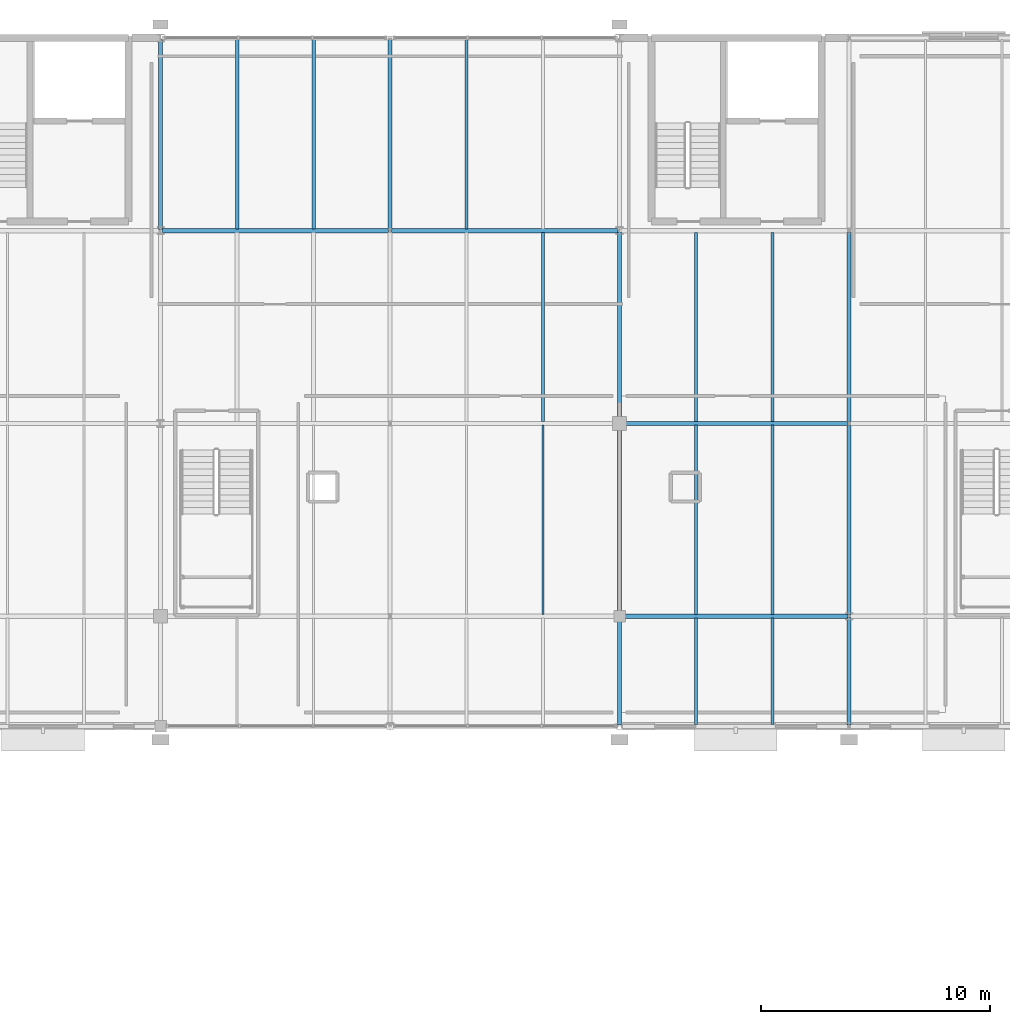
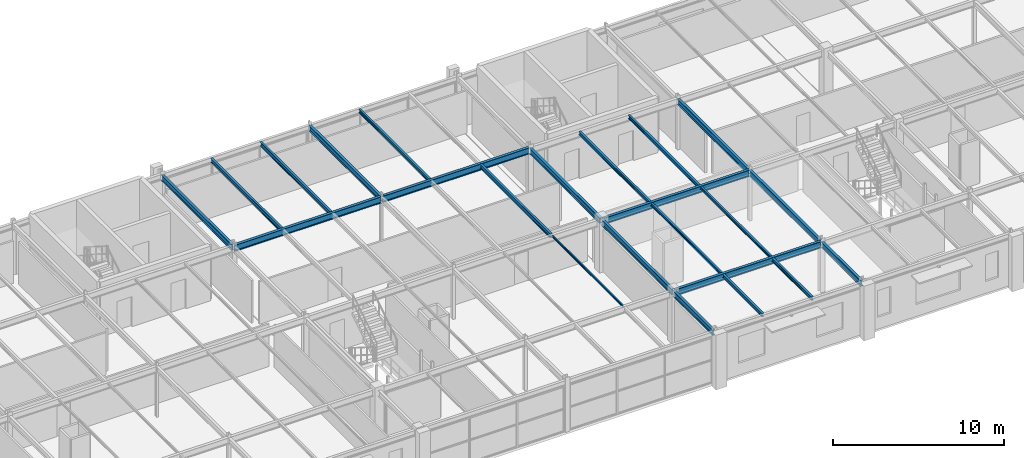
# One storey, part 56 of 98: 23 beams.
"""IFC4 building model written with IfcOpenShell, lengths in metres."""

from ifc_helpers import new_model, si_unit, derived_unit, direction, frame, origin, origin_2d_with_axis, place, context, subcontext, project, spatial, i_section, extrude, material, material_profile, profile_set, type_object, element, save


model = new_model("IFC4")

# Units and contexts
model_context = context("Model", 3, precision=1e-05, world=origin(), true_north=direction((0.0, 1.0)))
body_context = subcontext(model_context, "Body", "Model", "MODEL_VIEW")
ifc_project = project(units=[si_unit("LENGTHUNIT", "METRE"), si_unit("AREAUNIT", "SQUARE_METRE"), si_unit("VOLUMEUNIT", "CUBIC_METRE"), si_unit("PLANEANGLEUNIT", "RADIAN"), si_unit("MASSUNIT", "GRAM", prefix="KILO"), derived_unit("THERMALTRANSMITTANCEUNIT", [(si_unit("POWERUNIT", "WATT"), 1), (si_unit("LENGTHUNIT", "METRE"), -2), (si_unit("THERMODYNAMICTEMPERATUREUNIT", "KELVIN"), -1)])], contexts=[model_context])

# Site, building, storey
site_placement = place(None, origin())
site = spatial("IfcSite", under=ifc_project, at=site_placement, CompositionType="ELEMENT")
building_placement = place(site_placement, origin())
building = spatial("IfcBuilding", under=site, at=building_placement, Name="Cinnabar Yard Market Hall", CompositionType="ELEMENT")
storey_placement = place(building_placement, frame((0.0, 0.0, 4.5)))
storey = spatial("IfcBuildingStorey", under=building, at=storey_placement, Name="L01", CompositionType="ELEMENT", Elevation=4.5)

# Beams
ifc_material = material(Name="Steel Grade 300 (300 MPa)", Category="steel")
ifc_material_profile_1 = material_profile(ifc_material, i_section(OverallWidth=0.18994140625, OverallDepth=0.453857421875, WebThickness=0.008544921875, FlangeThickness=0.0126953125, FilletRadius=0.011474609375, at=origin_2d_with_axis()), Name="460UB67.1")
ifc_profile_set_1 = profile_set([ifc_material_profile_1], Name="Steel Grade 300 (300 MPa)")
beam_type_1 = type_object("IfcBeamType", Name="BM-B05", PredefinedType="BEAM", material=ifc_profile_set_1)
for number, where, z_axis, x_axis, name in (
    (1, (106.06005859375, 129.60009765625, 3.423095703125), (1.0, 0.0, 0.0), (0.0, 1.0, 0.0), "V3 L01 Girder X 01046"),
    (2, (116.06005859375, 129.60009765625, 3.423095703125), (1.0, 0.0, 0.0), (0.0, 1.0, 0.0), "V3 L01 Girder X 01051"),
    (3, (126.06005859375, 112.800048828125, 3.423095703125), (1.0, 0.0, 0.0), (0.0, 1.0, 0.0), "V3 L01 Girder X 01054"),
    (4, (126.06005859375, 121.199951171875, 3.423095703125), (1.0, 0.0, 0.0), (0.0, 1.0, 0.0), "V3 L01 Girder X 01055"),
):
    element("IfcBeam", number, at=place(storey_placement, frame(where, z_axis=z_axis, x_axis=x_axis)), inside=storey, type_object=beam_type_1, Name=name, PredefinedType="BEAM", context=body_context, shape_type="SweptSolid", body=[
        extrude(i_section(OverallWidth=0.18994140625, OverallDepth=0.453857421875, WebThickness=0.008544921875, FlangeThickness=0.0126953125, FilletRadius=0.011474609375, at=origin_2d_with_axis()), origin(), (0.0, 0.0, 1.0), 9.8798828125),
    ])
ifc_material_profile_2 = material_profile(ifc_material, i_section(OverallWidth=0.177978515625, OverallDepth=0.406494140625, WebThickness=0.0078125, FlangeThickness=0.0126953125, FilletRadius=0.011474609375, at=origin_2d_with_axis()), Name="410UB59.7")
ifc_profile_set_2 = profile_set([ifc_material_profile_2], Name="Steel Grade 300 (300 MPa)")
beam_type_2 = type_object("IfcBeamType", Name="BM-B06", PredefinedType="BEAM", material=ifc_profile_set_2)
for number, where, z_axis, x_axis, name in (
    (5, (106.0, 129.659912109375, 3.44677734375), (0.0, 1.0, 0.0), (-1.0, 0.0, 0.0), "V3 L01 Girder Y 01092"),
    (6, (116.0, 129.659912109375, 3.44677734375), (0.0, 1.0, 0.0), (-1.0, 0.0, 0.0), "V3 L01 Girder Y 01096"),
):
    element("IfcBeam", number, at=place(storey_placement, frame(where, z_axis=z_axis, x_axis=x_axis)), inside=storey, type_object=beam_type_2, Name=name, PredefinedType="BEAM", context=body_context, shape_type="SweptSolid", body=[
        extrude(i_section(OverallWidth=0.177978515625, OverallDepth=0.406494140625, WebThickness=0.0078125, FlangeThickness=0.0126953125, FilletRadius=0.011474609375, at=origin_2d_with_axis()), origin(), (0.0, 0.0, 1.0), 8.280029296875),
    ])
beam_1_placement = place(storey_placement, frame((126.0, 108.06005859375, 3.44677734375), z_axis=(0.0, 1.0, 0.0), x_axis=(-1.0, 0.0, 0.0)))
element("IfcBeam", 7, at=beam_1_placement, inside=storey, type_object=beam_type_2, Name="V3 L01 Girder Y 01097", PredefinedType="BEAM", context=body_context, shape_type="SweptSolid", body=[
    extrude(i_section(OverallWidth=0.177978515625, OverallDepth=0.406494140625, WebThickness=0.0078125, FlangeThickness=0.0126953125, FilletRadius=0.011474609375, at=origin_2d_with_axis()), origin(), (0.0, 0.0, 1.0), 4.679931640625),
])
beam_2_placement = place(storey_placement, frame((126.0, 112.860107421875, 3.44677734375), z_axis=(0.0, 1.0, 0.0), x_axis=(-1.0, 0.0, 0.0)))
element("IfcBeam", 8, at=beam_2_placement, inside=storey, type_object=beam_type_2, Name="V3 L01 Girder Y 01098", PredefinedType="BEAM", context=body_context, shape_type="SweptSolid", body=[
    extrude(i_section(OverallWidth=0.177978515625, OverallDepth=0.406494140625, WebThickness=0.0078125, FlangeThickness=0.0126953125, FilletRadius=0.011474609375, at=origin_2d_with_axis()), origin(), (0.0, 0.0, 1.0), 8.27978515625),
])
beam_3_placement = place(storey_placement, frame((126.0, 121.260009765625, 3.44677734375), z_axis=(0.0, 1.0, 0.0), x_axis=(-1.0, 0.0, 0.0)))
element("IfcBeam", 9, at=beam_3_placement, inside=storey, type_object=beam_type_2, Name="V3 L01 Girder Y 01099", PredefinedType="BEAM", context=body_context, shape_type="SweptSolid", body=[
    extrude(i_section(OverallWidth=0.177978515625, OverallDepth=0.406494140625, WebThickness=0.0078125, FlangeThickness=0.0126953125, FilletRadius=0.011474609375, at=origin_2d_with_axis()), origin(), (0.0, 0.0, 1.0), 8.280029296875),
])
beam_4_placement = place(storey_placement, frame((136.0, 108.06005859375, 3.44677734375), z_axis=(0.0, 1.0, 0.0), x_axis=(-1.0, 0.0, 0.0)))
element("IfcBeam", 10, at=beam_4_placement, inside=storey, type_object=beam_type_2, Name="V3 L01 Girder Y 01101", PredefinedType="BEAM", context=body_context, shape_type="SweptSolid", body=[
    extrude(i_section(OverallWidth=0.177978515625, OverallDepth=0.406494140625, WebThickness=0.0078125, FlangeThickness=0.0126953125, FilletRadius=0.011474609375, at=origin_2d_with_axis()), origin(), (0.0, 0.0, 1.0), 4.679931640625),
])
beam_5_placement = place(storey_placement, frame((136.0, 112.860107421875, 3.44677734375), z_axis=(0.0, 1.0, 0.0), x_axis=(-1.0, 0.0, 0.0)))
element("IfcBeam", 11, at=beam_5_placement, inside=storey, type_object=beam_type_2, Name="V3 L01 Girder Y 01102", PredefinedType="BEAM", context=body_context, shape_type="SweptSolid", body=[
    extrude(i_section(OverallWidth=0.177978515625, OverallDepth=0.406494140625, WebThickness=0.0078125, FlangeThickness=0.0126953125, FilletRadius=0.011474609375, at=origin_2d_with_axis()), origin(), (0.0, 0.0, 1.0), 8.27978515625),
])
beam_6_placement = place(storey_placement, frame((136.0, 121.260009765625, 3.44677734375), z_axis=(0.0, 1.0, 0.0), x_axis=(-1.0, 0.0, 0.0)))
element("IfcBeam", 12, at=beam_6_placement, inside=storey, type_object=beam_type_2, Name="V3 L01 Girder Y 01103", PredefinedType="BEAM", context=body_context, shape_type="SweptSolid", body=[
    extrude(i_section(OverallWidth=0.177978515625, OverallDepth=0.406494140625, WebThickness=0.0078125, FlangeThickness=0.0126953125, FilletRadius=0.011474609375, at=origin_2d_with_axis()), origin(), (0.0, 0.0, 1.0), 8.280029296875),
])
ifc_material_profile_3 = material_profile(ifc_material, i_section(OverallWidth=0.14892578125, OverallDepth=0.298095703125, WebThickness=0.005615234375, FlangeThickness=0.008056640625, FilletRadius=0.0087890625, at=origin_2d_with_axis()), Name="310UB32.0")
ifc_profile_set_3 = profile_set([ifc_material_profile_3], Name="Steel Grade 300 (300 MPa)")
beam_type_3 = type_object("IfcBeamType", Name="BM-J02", PredefinedType="JOIST", material=ifc_profile_set_3)
beam_7_placement = place(storey_placement, frame((122.666748046875, 121.27490234375, 3.5009765625), z_axis=(0.0, 1.0, 0.0), x_axis=(-1.0, 0.0, 0.0)))
element("IfcBeam", 13, at=beam_7_placement, inside=storey, type_object=beam_type_3, Name="V3 L01 Joist 01160", PredefinedType="JOIST", context=body_context, shape_type="SweptSolid", body=[
    extrude(i_section(OverallWidth=0.14892578125, OverallDepth=0.298095703125, WebThickness=0.005615234375, FlangeThickness=0.008056640625, FilletRadius=0.0087890625, at=origin_2d_with_axis()), origin(), (0.0, 0.0, 1.0), 8.25),
])
ifc_material_profile_4 = material_profile(ifc_material, i_section(OverallWidth=0.14599609375, OverallDepth=0.256103515625, WebThickness=0.00634765625, FlangeThickness=0.010986328125, FilletRadius=0.0087890625, at=origin_2d_with_axis()), Name="250UB37.3")
ifc_profile_set_4 = profile_set([ifc_material_profile_4], Name="Steel Grade 300 (300 MPa)")
beam_type_4 = type_object("IfcBeamType", Name="BM-J03", PredefinedType="JOIST", material=ifc_profile_set_4)
beam_8_placement = place(storey_placement, frame((119.333251953125, 129.675048828125, 3.52197265625), z_axis=(0.0, 1.0, 0.0), x_axis=(-1.0, 0.0, 0.0)))
element("IfcBeam", 14, at=beam_8_placement, inside=storey, type_object=beam_type_4, Name="V3 L01 Joist 01157", PredefinedType="JOIST", context=body_context, shape_type="SweptSolid", body=[
    extrude(i_section(OverallWidth=0.14599609375, OverallDepth=0.256103515625, WebThickness=0.00634765625, FlangeThickness=0.010986328125, FilletRadius=0.0087890625, at=origin_2d_with_axis()), origin(), (0.0, 0.0, 1.0), 8.25),
])
for number, where, z_axis, x_axis, name in (
    (15, (129.333251953125, 108.074951171875, 3.52197265625), (0.0, 1.0, 0.0), (-1.0, 0.0, 0.0), "V3 L01 Joist 01162"),
    (16, (132.666748046875, 108.074951171875, 3.52197265625), (0.0, 1.0, 0.0), (-1.0, 0.0, 0.0), "V3 L01 Joist 01165"),
):
    element("IfcBeam", number, at=place(storey_placement, frame(where, z_axis=z_axis, x_axis=x_axis)), inside=storey, type_object=beam_type_4, Name=name, PredefinedType="JOIST", context=body_context, shape_type="SweptSolid", body=[
        extrude(i_section(OverallWidth=0.14599609375, OverallDepth=0.256103515625, WebThickness=0.00634765625, FlangeThickness=0.010986328125, FilletRadius=0.0087890625, at=origin_2d_with_axis()), origin(), (0.0, 0.0, 1.0), 4.650146484375),
    ])
ifc_material_profile_5 = material_profile(ifc_material, i_section(OverallWidth=0.134033203125, OverallDepth=0.20703125, WebThickness=0.00634765625, FlangeThickness=0.009521484375, FilletRadius=0.0087890625, at=origin_2d_with_axis()), Name="200UB29.8")
ifc_profile_set_5 = profile_set([ifc_material_profile_5], Name="Steel Grade 300 (300 MPa)")
beam_type_5 = type_object("IfcBeamType", Name="BM-J04", PredefinedType="JOIST", material=ifc_profile_set_5)
for number, where, z_axis, x_axis, name in (
    (17, (129.333251953125, 112.875, 3.54638671875), (0.0, 1.0, 0.0), (-1.0, 0.0, 0.0), "V3 L01 Joist 01163"),
    (18, (132.666748046875, 112.875, 3.54638671875), (0.0, 1.0, 0.0), (-1.0, 0.0, 0.0), "V3 L01 Joist 01166"),
):
    element("IfcBeam", number, at=place(storey_placement, frame(where, z_axis=z_axis, x_axis=x_axis)), inside=storey, type_object=beam_type_5, Name=name, PredefinedType="JOIST", context=body_context, shape_type="SweptSolid", body=[
        extrude(i_section(OverallWidth=0.134033203125, OverallDepth=0.20703125, WebThickness=0.00634765625, FlangeThickness=0.009521484375, FilletRadius=0.0087890625, at=origin_2d_with_axis()), origin(), (0.0, 0.0, 1.0), 8.25),
    ])
ifc_material_profile_6 = material_profile(ifc_material, i_section(OverallWidth=0.14599609375, OverallDepth=0.251708984375, WebThickness=0.006103515625, FlangeThickness=0.008544921875, FilletRadius=0.0087890625, at=origin_2d_with_axis()), Name="250UB31.4")
ifc_profile_set_6 = profile_set([ifc_material_profile_6], Name="Steel Grade 300 (300 MPa)")
beam_type_6 = type_object("IfcBeamType", Name="BM-J05", PredefinedType="JOIST", material=ifc_profile_set_6)
for number, where, z_axis, x_axis, name in (
    (19, (129.333251953125, 121.27490234375, 3.524169921875), (0.0, 1.0, 0.0), (-1.0, 0.0, 0.0), "V3 L01 Joist 01164"),
    (20, (132.666748046875, 121.27490234375, 3.524169921875), (0.0, 1.0, 0.0), (-1.0, 0.0, 0.0), "V3 L01 Joist 01167"),
):
    element("IfcBeam", number, at=place(storey_placement, frame(where, z_axis=z_axis, x_axis=x_axis)), inside=storey, type_object=beam_type_6, Name=name, PredefinedType="JOIST", context=body_context, shape_type="SweptSolid", body=[
        extrude(i_section(OverallWidth=0.14599609375, OverallDepth=0.251708984375, WebThickness=0.006103515625, FlangeThickness=0.008544921875, FilletRadius=0.0087890625, at=origin_2d_with_axis()), origin(), (0.0, 0.0, 1.0), 8.25),
    ])
ifc_material_profile_7 = material_profile(ifc_material, i_section(OverallWidth=0.14892578125, OverallDepth=0.298095703125, WebThickness=0.005615234375, FlangeThickness=0.008056640625, FilletRadius=0.0087890625, at=origin_2d_with_axis()), Name="310UB32.0")
ifc_profile_set_7 = profile_set([ifc_material_profile_7], Name="Steel Grade 300 (300 MPa)")
beam_type_7 = type_object("IfcBeamType", Name="BM-J17", PredefinedType="JOIST", material=ifc_profile_set_7)
for number, where, z_axis, x_axis, name in (
    (21, (109.333251953125, 129.675048828125, 3.5009765625), (0.0, 1.0, 0.0), (-1.0, 0.0, 0.0), "V3 L01 Joist 01149"),
    (22, (112.666748046875, 129.675048828125, 3.5009765625), (0.0, 1.0, 0.0), (-1.0, 0.0, 0.0), "V3 L01 Joist 01153"),
):
    element("IfcBeam", number, at=place(storey_placement, frame(where, z_axis=z_axis, x_axis=x_axis)), inside=storey, type_object=beam_type_7, Name=name, PredefinedType="JOIST", context=body_context, shape_type="SweptSolid", body=[
        extrude(i_section(OverallWidth=0.14892578125, OverallDepth=0.298095703125, WebThickness=0.005615234375, FlangeThickness=0.008056640625, FilletRadius=0.0087890625, at=origin_2d_with_axis()), origin(), (0.0, 0.0, 1.0), 8.25),
    ])
ifc_material_profile_8 = material_profile(ifc_material, i_section(OverallWidth=0.074951171875, OverallDepth=0.155029296875, WebThickness=0.006103515625, FlangeThickness=0.009521484375, FilletRadius=0.008056640625, at=origin_2d_with_axis()), Name="150UB18.0")
ifc_profile_set_8 = profile_set([ifc_material_profile_8], Name="Steel Grade 300 (300 MPa)")
beam_type_8 = type_object("IfcBeamType", Name="BM-J18", PredefinedType="JOIST", material=ifc_profile_set_8)
beam_9_placement = place(storey_placement, frame((122.666748046875, 112.875, 3.572509765625), z_axis=(0.0, 1.0, 0.0), x_axis=(-1.0, 0.0, 0.0)))
element("IfcBeam", 23, at=beam_9_placement, inside=storey, type_object=beam_type_8, Name="V3 L01 Joist 01159", PredefinedType="JOIST", context=body_context, shape_type="SweptSolid", body=[
    extrude(i_section(OverallWidth=0.074951171875, OverallDepth=0.155029296875, WebThickness=0.006103515625, FlangeThickness=0.009521484375, FilletRadius=0.008056640625, at=origin_2d_with_axis()), origin(), (0.0, 0.0, 1.0), 8.25),
])

save(model, "model.ifc")
